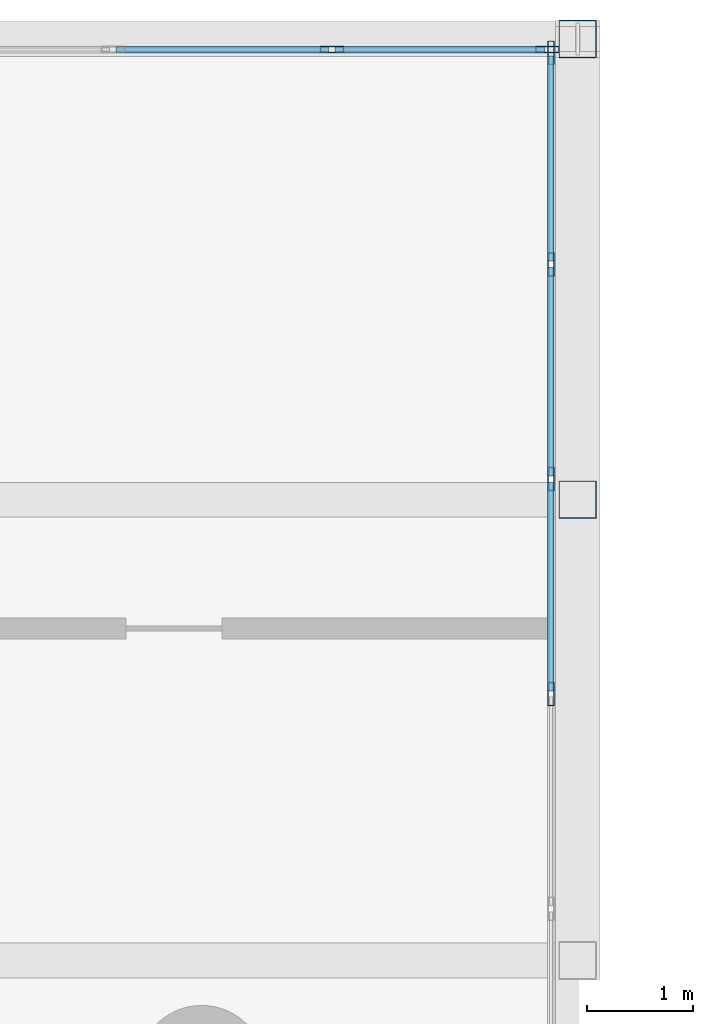
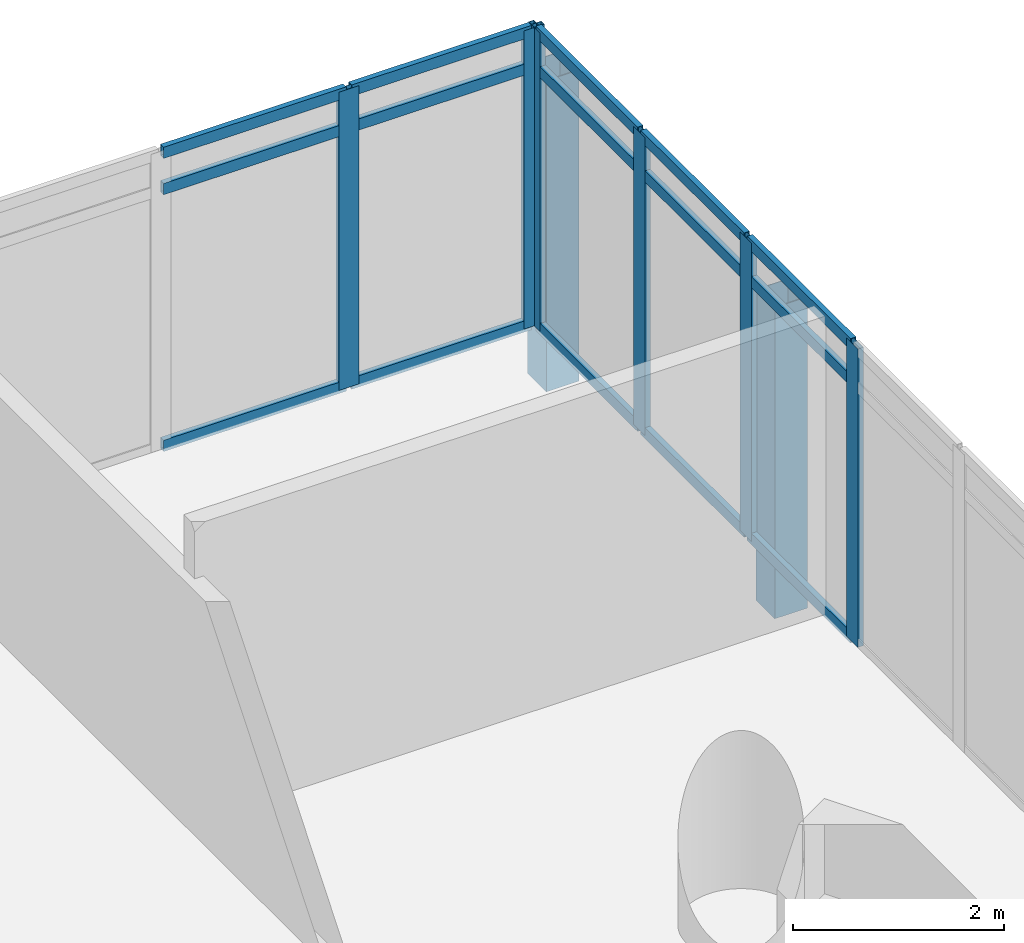
# One storey, part 26 of 37: 23 members, 2 elements without a shape of their own.
"""IFC4 building model written with IfcOpenShell, lengths in metres."""

from ifc_helpers import new_model, si_unit, direction, frame, origin, origin_2d, place, context, subcontext, project, spatial, hollow_rectangle, extrude, material, material_profile, profile_set, type_object, element, aggregate, save


model = new_model("IFC4")

# Units and contexts
model_context = context("Model", 3, precision=1e-05, world=origin(), true_north=direction((0.0, 1.0)))
body_context = subcontext(model_context, "Body", "Model", "MODEL_VIEW")
ifc_project = project(units=[si_unit("LENGTHUNIT", "METRE"), si_unit("AREAUNIT", "SQUARE_METRE"), si_unit("VOLUMEUNIT", "CUBIC_METRE"), si_unit("PLANEANGLEUNIT", "RADIAN"), si_unit("MASSUNIT", "GRAM", prefix="KILO")], contexts=[model_context])

# Site, building, storey
site_placement = place(None, origin())
site = spatial("IfcSite", under=ifc_project, at=site_placement, CompositionType="ELEMENT")
building_placement = place(site_placement, origin())
building = spatial("IfcBuilding", under=site, at=building_placement, Name="Ostrander Bayou Hotel Tower", CompositionType="ELEMENT")
storey_placement = place(building_placement, frame((0.0, 0.0, 131.0)))
storey = spatial("IfcBuildingStorey", under=building, at=storey_placement, Name="L32", CompositionType="ELEMENT", Elevation=131.0)

# Curtain wall, members
ifc_material_1 = material(Name="Aluminium and clear glass", Category="aluminium")
curtain_wall_type = type_object("IfcCurtainWallType", Name="CW-BAR glazed wall", PredefinedType="NOTDEFINED", material=ifc_material_1)
curtain_wall_1_placement = place(storey_placement, origin())
curtain_wall_1 = element("IfcCurtainWall", 1, at=curtain_wall_1_placement, inside=storey, type_object=curtain_wall_type, Name="CW-BAR L32:SB3N:T", PredefinedType="NOTDEFINED")
ifc_material_2 = material(Name="Aluminium", Category="aluminium")
ifc_material_profile_1 = material_profile(ifc_material_2, hollow_rectangle(XDim=0.06005859375, YDim=0.219970703125, WallThickness=0.00390625, at=origin_2d()))
ifc_profile_set_1 = profile_set([ifc_material_profile_1], Name="Aluminium")
member_type_1 = type_object("IfcMemberType", Name="CW-BR mullion 60 x 220 mm", PredefinedType="MULLION", material=ifc_profile_set_1)
member_1_placement = place(storey_placement, frame((11.310791015625, 29.037109375, 0.0), z_axis=(0.0, 0.0, 1.0), x_axis=(0.0, 1.0, 0.0)))
member_1 = element("IfcMember", 2, at=member_1_placement, type_object=member_type_1, Name="CW-BAR mullion 13", PredefinedType="MULLION", context=body_context, shape_type="SweptSolid", body=[
    extrude(hollow_rectangle(XDim=0.06005859375, YDim=0.219970703125, WallThickness=0.00390625, at=origin_2d()), origin(), (0.0, 0.0, 1.0), 3.449951171875),
])
member_2_placement = place(storey_placement, frame((13.337158203125, 29.037109375, 0.0), z_axis=(0.0, 0.0, 1.0), x_axis=(0.0, 1.0, 0.0)))
member_2 = element("IfcMember", 3, at=member_2_placement, type_object=member_type_1, Name="CW-BAR mullion 14", PredefinedType="MULLION", context=body_context, shape_type="SweptSolid", body=[
    extrude(hollow_rectangle(XDim=0.06005859375, YDim=0.219970703125, WallThickness=0.00390625, at=origin_2d()), origin(), (0.0, 0.0, 1.0), 3.449951171875),
])

curtain_wall_2_placement = place(storey_placement, origin())
curtain_wall_2 = element("IfcCurtainWall", 4, at=curtain_wall_2_placement, inside=storey, type_object=curtain_wall_type, Name="CW-BAR L32:SB3N:W", PredefinedType="NOTDEFINED")
member_3_placement = place(storey_placement, frame((13.3671875, 22.984375, 0.0), z_axis=(0.0, 0.0, 1.0), x_axis=(-1.0, 0.0, 0.0)))
member_3 = element("IfcMember", 5, at=member_3_placement, type_object=member_type_1, Name="CW-BAR mullion 8", PredefinedType="MULLION", context=body_context, shape_type="SweptSolid", body=[
    extrude(hollow_rectangle(XDim=0.06005859375, YDim=0.219970703125, WallThickness=0.00390625, at=origin_2d()), origin(), (0.0, 0.0, 1.0), 3.449951171875),
])
member_4_placement = place(storey_placement, frame((13.3671875, 25.001953125, 0.0), z_axis=(0.0, 0.0, 1.0), x_axis=(-1.0, 0.0, 0.0)))
member_4 = element("IfcMember", 6, at=member_4_placement, type_object=member_type_1, Name="CW-BAR mullion 9", PredefinedType="MULLION", context=body_context, shape_type="SweptSolid", body=[
    extrude(hollow_rectangle(XDim=0.06005859375, YDim=0.219970703125, WallThickness=0.00390625, at=origin_2d()), origin(), (0.0, 0.0, 1.0), 3.449951171875),
])
member_5_placement = place(storey_placement, frame((13.3671875, 27.01953125, 0.0), z_axis=(0.0, 0.0, 1.0), x_axis=(-1.0, 0.0, 0.0)))
member_5 = element("IfcMember", 7, at=member_5_placement, type_object=member_type_1, Name="CW-BAR mullion 10", PredefinedType="MULLION", context=body_context, shape_type="SweptSolid", body=[
    extrude(hollow_rectangle(XDim=0.06005859375, YDim=0.219970703125, WallThickness=0.00390625, at=origin_2d()), origin(), (0.0, 0.0, 1.0), 3.449951171875),
])
member_6_placement = place(storey_placement, frame((13.3671875, 29.007080078125, 0.0), z_axis=(0.0, 0.0, 1.0), x_axis=(-1.0, 0.0, 0.0)))
member_6 = element("IfcMember", 8, at=member_6_placement, type_object=member_type_1, Name="CW-BAR mullion 11", PredefinedType="MULLION", context=body_context, shape_type="SweptSolid", body=[
    extrude(hollow_rectangle(XDim=0.06005859375, YDim=0.219970703125, WallThickness=0.00390625, at=origin_2d()), origin(), (0.0, 0.0, 1.0), 3.449951171875),
])

# Member
ifc_material_3 = material(Name="Aluminium", Category="aluminium")
ifc_material_profile_2 = material_profile(ifc_material_3, hollow_rectangle(XDim=0.06005859375, YDim=0.1298828125, WallThickness=0.00390625, at=origin_2d()))
ifc_profile_set_2 = profile_set([ifc_material_profile_2], Name="Aluminium")
member_type_2 = type_object("IfcMemberType", Name="CW-BR transom 60 x 130 mm", PredefinedType="USERDEFINED", material=ifc_profile_set_2)
member_7_placement = place(storey_placement, frame((9.2841796875, 29.037109375, 0.030029296875), z_axis=(1.0, 0.0, 0.0), x_axis=(0.0, 1.0, 0.0)))
member_7 = element("IfcMember", 9, at=member_7_placement, type_object=member_type_2, Name="CW-BAR transom 12.1", ObjectType="TRANSOM", PredefinedType="USERDEFINED", context=body_context, shape_type="SweptSolid", body=[
    extrude(hollow_rectangle(XDim=0.06005859375, YDim=0.1298828125, WallThickness=0.00390625, at=origin_2d()), origin(), (0.0, 0.0, 1.0), 1.99658203125),
])

member_8_placement = place(storey_placement, frame((9.2841796875, 29.037109375, 3.0), z_axis=(1.0, 0.0, 0.0), x_axis=(0.0, 1.0, 0.0)))
member_8 = element("IfcMember", 10, at=member_8_placement, type_object=member_type_2, Name="CW-BAR transom 12.2", ObjectType="TRANSOM", PredefinedType="USERDEFINED", context=body_context, shape_type="SweptSolid", body=[
    extrude(hollow_rectangle(XDim=0.06005859375, YDim=0.1298828125, WallThickness=0.00390625, at=origin_2d()), origin(), (0.0, 0.0, 1.0), 1.99658203125),
])

member_9_placement = place(storey_placement, frame((9.2841796875, 29.037109375, 3.419921875), z_axis=(1.0, 0.0, 0.0), x_axis=(0.0, 1.0, 0.0)))
member_9 = element("IfcMember", 11, at=member_9_placement, type_object=member_type_2, Name="CW-BAR transom 12.3", ObjectType="TRANSOM", PredefinedType="USERDEFINED", context=body_context, shape_type="SweptSolid", body=[
    extrude(hollow_rectangle(XDim=0.06005859375, YDim=0.1298828125, WallThickness=0.00390625, at=origin_2d()), origin(), (0.0, 0.0, 1.0), 1.99658203125),
])

member_10_placement = place(storey_placement, frame((11.3408203125, 29.037109375, 0.030029296875), z_axis=(1.0, 0.0, 0.0), x_axis=(0.0, 1.0, 0.0)))
member_10 = element("IfcMember", 12, at=member_10_placement, type_object=member_type_2, Name="CW-BAR transom 13.1", ObjectType="TRANSOM", PredefinedType="USERDEFINED", context=body_context, shape_type="SweptSolid", body=[
    extrude(hollow_rectangle(XDim=0.06005859375, YDim=0.1298828125, WallThickness=0.00390625, at=origin_2d()), origin(), (0.0, 0.0, 1.0), 1.96630859375),
])

member_11_placement = place(storey_placement, frame((11.3408203125, 29.037109375, 3.0), z_axis=(1.0, 0.0, 0.0), x_axis=(0.0, 1.0, 0.0)))
member_11 = element("IfcMember", 13, at=member_11_placement, type_object=member_type_2, Name="CW-BAR transom 13.2", ObjectType="TRANSOM", PredefinedType="USERDEFINED", context=body_context, shape_type="SweptSolid", body=[
    extrude(hollow_rectangle(XDim=0.06005859375, YDim=0.1298828125, WallThickness=0.00390625, at=origin_2d()), origin(), (0.0, 0.0, 1.0), 1.96630859375),
])

member_12_placement = place(storey_placement, frame((11.3408203125, 29.037109375, 3.419921875), z_axis=(1.0, 0.0, 0.0), x_axis=(0.0, 1.0, 0.0)))
member_12 = element("IfcMember", 14, at=member_12_placement, type_object=member_type_2, Name="CW-BAR transom 13.3", ObjectType="TRANSOM", PredefinedType="USERDEFINED", context=body_context, shape_type="SweptSolid", body=[
    extrude(hollow_rectangle(XDim=0.06005859375, YDim=0.1298828125, WallThickness=0.00390625, at=origin_2d()), origin(), (0.0, 0.0, 1.0), 1.96630859375),
])

aggregate(curtain_wall_1, [member_1, member_2, member_7, member_8, member_9, member_10, member_11, member_12])

member_13_placement = place(storey_placement, frame((13.3671875, 23.014404296875, 0.030029296875), z_axis=(0.0, 1.0, 0.0), x_axis=(-1.0, 0.0, 0.0)))
member_13 = element("IfcMember", 15, at=member_13_placement, type_object=member_type_2, Name="CW-BAR transom 8.1", ObjectType="TRANSOM", PredefinedType="USERDEFINED", context=body_context, shape_type="SweptSolid", body=[
    extrude(hollow_rectangle(XDim=0.06005859375, YDim=0.1298828125, WallThickness=0.00390625, at=origin_2d()), origin(), (0.0, 0.0, 1.0), 1.95751953125),
])

member_14_placement = place(storey_placement, frame((13.3671875, 23.014404296875, 3.0), z_axis=(0.0, 1.0, 0.0), x_axis=(-1.0, 0.0, 0.0)))
member_14 = element("IfcMember", 16, at=member_14_placement, type_object=member_type_2, Name="CW-BAR transom 8.2", ObjectType="TRANSOM", PredefinedType="USERDEFINED", context=body_context, shape_type="SweptSolid", body=[
    extrude(hollow_rectangle(XDim=0.06005859375, YDim=0.1298828125, WallThickness=0.00390625, at=origin_2d()), origin(), (0.0, 0.0, 1.0), 1.95751953125),
])

member_15_placement = place(storey_placement, frame((13.3671875, 23.014404296875, 3.419921875), z_axis=(0.0, 1.0, 0.0), x_axis=(-1.0, 0.0, 0.0)))
member_15 = element("IfcMember", 17, at=member_15_placement, type_object=member_type_2, Name="CW-BAR transom 8.3", ObjectType="TRANSOM", PredefinedType="USERDEFINED", context=body_context, shape_type="SweptSolid", body=[
    extrude(hollow_rectangle(XDim=0.06005859375, YDim=0.1298828125, WallThickness=0.00390625, at=origin_2d()), origin(), (0.0, 0.0, 1.0), 1.95751953125),
])

member_16_placement = place(storey_placement, frame((13.3671875, 25.031982421875, 0.030029296875), z_axis=(0.0, 1.0, 0.0), x_axis=(-1.0, 0.0, 0.0)))
member_16 = element("IfcMember", 18, at=member_16_placement, type_object=member_type_2, Name="CW-BAR transom 9.1", ObjectType="TRANSOM", PredefinedType="USERDEFINED", context=body_context, shape_type="SweptSolid", body=[
    extrude(hollow_rectangle(XDim=0.06005859375, YDim=0.1298828125, WallThickness=0.00390625, at=origin_2d()), origin(), (0.0, 0.0, 1.0), 1.95751953125),
])

member_17_placement = place(storey_placement, frame((13.3671875, 25.031982421875, 3.0), z_axis=(0.0, 1.0, 0.0), x_axis=(-1.0, 0.0, 0.0)))
member_17 = element("IfcMember", 19, at=member_17_placement, type_object=member_type_2, Name="CW-BAR transom 9.2", ObjectType="TRANSOM", PredefinedType="USERDEFINED", context=body_context, shape_type="SweptSolid", body=[
    extrude(hollow_rectangle(XDim=0.06005859375, YDim=0.1298828125, WallThickness=0.00390625, at=origin_2d()), origin(), (0.0, 0.0, 1.0), 1.95751953125),
])

member_18_placement = place(storey_placement, frame((13.3671875, 25.031982421875, 3.419921875), z_axis=(0.0, 1.0, 0.0), x_axis=(-1.0, 0.0, 0.0)))
member_18 = element("IfcMember", 20, at=member_18_placement, type_object=member_type_2, Name="CW-BAR transom 9.3", ObjectType="TRANSOM", PredefinedType="USERDEFINED", context=body_context, shape_type="SweptSolid", body=[
    extrude(hollow_rectangle(XDim=0.06005859375, YDim=0.1298828125, WallThickness=0.00390625, at=origin_2d()), origin(), (0.0, 0.0, 1.0), 1.95751953125),
])

member_19_placement = place(storey_placement, frame((13.3671875, 27.049560546875, 0.030029296875), z_axis=(0.0, 1.0, 0.0), x_axis=(-1.0, 0.0, 0.0)))
member_19 = element("IfcMember", 21, at=member_19_placement, type_object=member_type_2, Name="CW-BAR transom 10.1", ObjectType="TRANSOM", PredefinedType="USERDEFINED", context=body_context, shape_type="SweptSolid", body=[
    extrude(hollow_rectangle(XDim=0.06005859375, YDim=0.1298828125, WallThickness=0.00390625, at=origin_2d()), origin(), (0.0, 0.0, 1.0), 1.927490234375),
])

member_20_placement = place(storey_placement, frame((13.3671875, 27.049560546875, 3.0), z_axis=(0.0, 1.0, 0.0), x_axis=(-1.0, 0.0, 0.0)))
member_20 = element("IfcMember", 22, at=member_20_placement, type_object=member_type_2, Name="CW-BAR transom 10.2", ObjectType="TRANSOM", PredefinedType="USERDEFINED", context=body_context, shape_type="SweptSolid", body=[
    extrude(hollow_rectangle(XDim=0.06005859375, YDim=0.1298828125, WallThickness=0.00390625, at=origin_2d()), origin(), (0.0, 0.0, 1.0), 1.927490234375),
])

member_21_placement = place(storey_placement, frame((13.3671875, 27.049560546875, 3.419921875), z_axis=(0.0, 1.0, 0.0), x_axis=(-1.0, 0.0, 0.0)))
member_21 = element("IfcMember", 23, at=member_21_placement, type_object=member_type_2, Name="CW-BAR transom 10.3", ObjectType="TRANSOM", PredefinedType="USERDEFINED", context=body_context, shape_type="SweptSolid", body=[
    extrude(hollow_rectangle(XDim=0.06005859375, YDim=0.1298828125, WallThickness=0.00390625, at=origin_2d()), origin(), (0.0, 0.0, 1.0), 1.927490234375),
])

aggregate(curtain_wall_2, [member_3, member_4, member_5, member_6, member_13, member_14, member_15, member_16, member_17, member_18, member_19, member_20, member_21])

# Members
ifc_material_4 = material(Name="Steel ASTM A500 Gr C", Category="steel")
ifc_material_profile_3 = material_profile(ifc_material_4, hollow_rectangle(XDim=0.355712890625, YDim=0.355712890625, WallThickness=0.0087890625, at=origin_2d()))
ifc_profile_set_3 = profile_set([ifc_material_profile_3], Name="Steel ASTM A500 Gr C")
member_type_3 = type_object("IfcMemberType", Name="TH3 bar hanger HSS14x14x3/8", PredefinedType="POST", material=ifc_profile_set_3)
for number, where, z_axis, x_axis, name in (
    (24, (13.6201171875, 29.13720703125, -0.771728515625), (0.0, 0.0, 1.0), (1.0, 0.0, 0.0), "TH3 SB3WB H1-1"),
    (25, (13.6201171875, 24.809326171875, -0.771728515625), (0.0, 0.0, 1.0), (1.0, 0.0, 0.0), "TH3 SB3WB H2-1"),
):
    element("IfcMember", number, at=place(storey_placement, frame(where, z_axis=z_axis, x_axis=x_axis)), inside=storey, type_object=member_type_3, Name=name, PredefinedType="POST", context=body_context, shape_type="SweptSolid", body=[
        extrude(hollow_rectangle(XDim=0.355712890625, YDim=0.355712890625, WallThickness=0.0087890625, at=origin_2d()), origin(), (0.0, 0.0, 1.0), 3.599853515625),
    ])

save(model, "model.ifc")
